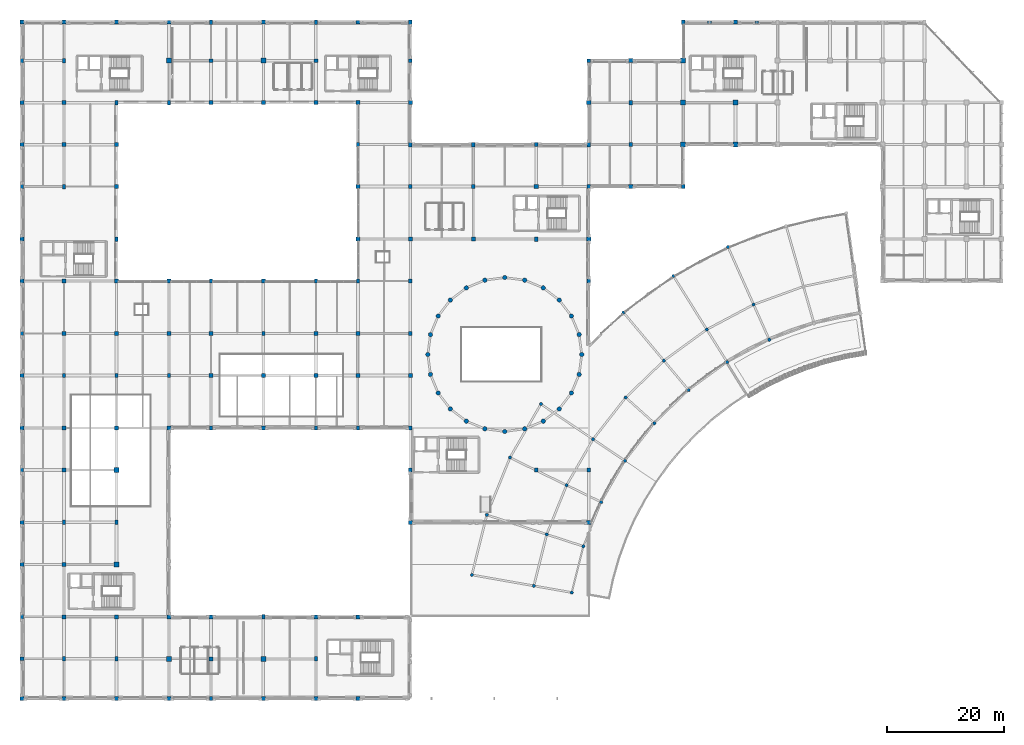
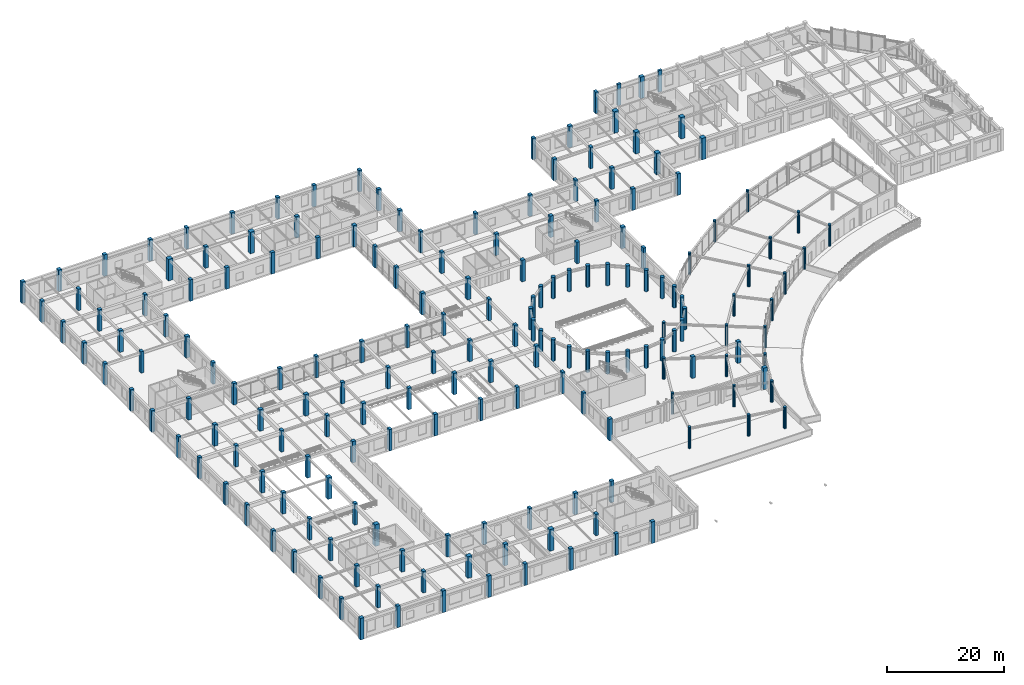
# One storey, part 1 of 62: 185 columns.
"""IFC4 building model written with IfcOpenShell, lengths in metres."""

from ifc_helpers import new_model, si_unit, direction, frame, origin, origin_2d, place, context, subcontext, project, spatial, rectangle, circle, extrude, material, material_profile, profile_set, type_object, element, save


model = new_model("IFC4")

# Units and contexts
model_context = context("Model", 3, precision=1e-05, world=origin(), true_north=direction((0.0, 1.0)))
body_context = subcontext(model_context, "Body", "Model", "MODEL_VIEW")
ifc_project = project(units=[si_unit("LENGTHUNIT", "METRE"), si_unit("AREAUNIT", "SQUARE_METRE"), si_unit("VOLUMEUNIT", "CUBIC_METRE"), si_unit("PLANEANGLEUNIT", "RADIAN"), si_unit("MASSUNIT", "GRAM", prefix="KILO")], contexts=[model_context])

# Site, building, storey
site_placement = place(None, origin())
site = spatial("IfcSite", under=ifc_project, at=site_placement, CompositionType="ELEMENT")
building_placement = place(site_placement, origin())
building = spatial("IfcBuilding", under=site, at=building_placement, Name="Clarverna Civic Hall", CompositionType="ELEMENT")
storey_placement = place(building_placement, frame((0.0, 0.0, 5.10009765625)))
storey = spatial("IfcBuildingStorey", under=building, at=storey_placement, Name="L01", CompositionType="ELEMENT", Elevation=5.10009765625)

# Columns
ifc_material_1 = material(Name="Concrete C35/45", Category="concrete")
ifc_material_profile_1 = material_profile(ifc_material_1, circle(Radius=0.27490234375, at=origin_2d()), Name="RC D550")
ifc_profile_set_1 = profile_set([ifc_material_profile_1], Name="Concrete C35/45")
column_type_1 = type_object("IfcColumnType", Name="C-CV2", PredefinedType="COLUMN", material=ifc_profile_set_1)
for number, where, z_axis, x_axis, name in (
    (1, (125.480712890625, 67.563232421875, 0.0), (0.0, 0.0, 1.0), (1.0, 0.0, 0.0), "C-CV2-003"),
    (2, (117.44921875, 63.292724609375, 0.0), (0.0, 0.0, 1.0), (1.0, 0.0, 0.0), "C-CV2-004"),
    (3, (110.090087890625, 57.946044921875, 0.0), (0.0, 0.0, 1.0), (1.0, 0.0, 0.0), "C-CV2-005"),
    (4, (103.547119140625, 51.627197265625, 0.0), (0.0, 0.0, 1.0), (1.0, 0.0, 0.0), "C-CV2-006"),
    (5, (97.94677734375, 44.45947265625, 0.0), (0.0, 0.0, 1.0), (1.0, 0.0, 0.0), "C-CV2-007"),
    (6, (93.398681640625, 36.581787109375, 0.0), (0.0, 0.0, 1.0), (1.0, 0.0, 0.0), "C-CV2-008"),
    (7, (89.9912109375, 28.14794921875, 0.0), (0.0, 0.0, 1.0), (1.0, 0.0, 0.0), "C-CV2-009"),
    (8, (87.79052734375, 19.322021484375, 0.0), (0.0, 0.0, 1.0), (1.0, 0.0, 0.0), "C-CV2-010"),
    (9, (121.087890625, 77.429443359375, 0.0), (0.0, 0.0, 1.0), (1.0, 0.0, 0.0), "C-CV2-013"),
    (10, (111.72607421875, 72.45166015625, 0.0), (0.0, 0.0, 1.0), (1.0, 0.0, 0.0), "C-CV2-014"),
    (11, (103.148193359375, 66.219482421875, 0.0), (0.0, 0.0, 1.0), (1.0, 0.0, 0.0), "C-CV2-015"),
    (12, (88.9931640625, 50.498779296875, 0.0), (0.0, 0.0, 1.0), (1.0, 0.0, 0.0), "C-CV2-016"),
    (13, (83.691650390625, 41.316162109375, 0.0), (0.0, 0.0, 1.0), (1.0, 0.0, 0.0), "C-CV2-017"),
    (14, (79.7197265625, 31.4853515625, 0.0), (0.0, 0.0, 1.0), (1.0, 0.0, 0.0), "C-CV2-018"),
    (15, (77.154541015625, 21.197265625, 0.0), (0.0, 0.0, 1.0), (1.0, 0.0, 0.0), "C-CV2-019"),
    (16, (128.165283203125, 61.53369140625, 0.0), (0.0, 0.0, 1.0), (1.0, 0.0, 0.0), "C-CV2-022"),
    (17, (120.94677734375, 57.695556640625, 0.0), (0.0, 0.0, 1.0), (1.0, 0.0, 0.0), "C-CV2-023"),
    (18, (114.33251953125, 52.89013671875, 0.0), (0.0, 0.0, 1.0), (1.0, 0.0, 0.0), "C-CV2-024"),
    (19, (108.45166015625, 47.211181640625, 0.0), (0.0, 0.0, 1.0), (1.0, 0.0, 0.0), "C-CV2-025"),
    (20, (103.41845703125, 40.768798828125, 0.0), (0.0, 0.0, 1.0), (1.0, 0.0, 0.0), "C-CV2-026"),
    (21, (99.330810546875, 33.6884765625, 0.0), (0.0, 0.0, 1.0), (1.0, 0.0, 0.0), "C-CV2-027"),
    (22, (96.26806640625, 26.1083984375, 0.0), (0.0, 0.0, 1.0), (1.0, 0.0, 0.0), "C-CV2-028"),
    (23, (94.290283203125, 18.17578125, 0.0), (0.0, 0.0, 1.0), (1.0, 0.0, 0.0), "C-CV2-029"),
):
    element("IfcColumn", number, at=place(storey_placement, frame(where, z_axis=z_axis, x_axis=x_axis)), inside=storey, type_object=column_type_1, Name=name, PredefinedType="COLUMN", context=body_context, shape_type="SweptSolid", body=[
        extrude(circle(Radius=0.27490234375, at=origin_2d()), origin(), (0.0, 0.0, 1.0), 4.5),
    ])
ifc_material_profile_2 = material_profile(ifc_material_1, circle(Radius=0.375, at=origin_2d()), Name="RC D750")
ifc_profile_set_2 = profile_set([ifc_material_profile_2], Name="Concrete C35/45")
column_type_2 = type_object("IfcColumnType", Name="C-DR2", PredefinedType="COLUMN", material=ifc_profile_set_2)
for number, where, z_axis, x_axis, name in (
    (24, (96.0, 59.0, 0.0), (0.0, 0.0, 1.0), (1.0, 0.0, 0.0), "C-DR2-001"),
    (25, (95.55029296875, 62.41650390625, 0.0), (0.0, 0.0, 1.0), (1.0, 0.0, 0.0), "C-DR2-003"),
    (26, (94.2314453125, 65.60009765625, 0.0), (0.0, 0.0, 1.0), (1.0, 0.0, 0.0), "C-DR2-005"),
    (27, (92.1337890625, 68.333740234375, 0.0), (0.0, 0.0, 1.0), (1.0, 0.0, 0.0), "C-DR2-007"),
    (28, (89.39990234375, 70.431396484375, 0.0), (0.0, 0.0, 1.0), (1.0, 0.0, 0.0), "C-DR2-009"),
    (29, (86.21630859375, 71.750244140625, 0.0), (0.0, 0.0, 1.0), (1.0, 0.0, 0.0), "C-DR2-011"),
    (30, (82.800048828125, 72.199951171875, 0.0), (0.0, 0.0, 1.0), (1.0, 0.0, 0.0), "C-DR2-013"),
    (31, (79.383544921875, 71.750244140625, 0.0), (0.0, 0.0, 1.0), (1.0, 0.0, 0.0), "C-DR2-015"),
    (32, (76.199951171875, 70.431396484375, 0.0), (0.0, 0.0, 1.0), (1.0, 0.0, 0.0), "C-DR2-017"),
    (33, (73.46630859375, 68.333740234375, 0.0), (0.0, 0.0, 1.0), (1.0, 0.0, 0.0), "C-DR2-019"),
    (34, (71.368408203125, 65.60009765625, 0.0), (0.0, 0.0, 1.0), (1.0, 0.0, 0.0), "C-DR2-021"),
    (35, (70.0498046875, 62.41650390625, 0.0), (0.0, 0.0, 1.0), (1.0, 0.0, 0.0), "C-DR2-023"),
    (36, (69.60009765625, 59.0, 0.0), (0.0, 0.0, 1.0), (1.0, 0.0, 0.0), "C-DR2-025"),
    (37, (70.0498046875, 55.58349609375, 0.0), (0.0, 0.0, 1.0), (1.0, 0.0, 0.0), "C-DR2-027"),
    (38, (71.368408203125, 52.39990234375, 0.0), (0.0, 0.0, 1.0), (1.0, 0.0, 0.0), "C-DR2-029"),
    (39, (73.46630859375, 49.666259765625, 0.0), (0.0, 0.0, 1.0), (1.0, 0.0, 0.0), "C-DR2-031"),
    (40, (76.199951171875, 47.568603515625, 0.0), (0.0, 0.0, 1.0), (1.0, 0.0, 0.0), "C-DR2-033"),
    (41, (79.383544921875, 46.249755859375, 0.0), (0.0, 0.0, 1.0), (1.0, 0.0, 0.0), "C-DR2-035"),
    (42, (82.800048828125, 45.800048828125, 0.0), (0.0, 0.0, 1.0), (1.0, 0.0, 0.0), "C-DR2-037"),
    (43, (86.21630859375, 46.249755859375, 0.0), (0.0, 0.0, 1.0), (1.0, 0.0, 0.0), "C-DR2-039"),
    (44, (89.39990234375, 47.568603515625, 0.0), (0.0, 0.0, 1.0), (1.0, 0.0, 0.0), "C-DR2-041"),
    (45, (92.1337890625, 49.666259765625, 0.0), (0.0, 0.0, 1.0), (1.0, 0.0, 0.0), "C-DR2-043"),
    (46, (94.2314453125, 52.39990234375, 0.0), (0.0, 0.0, 1.0), (1.0, 0.0, 0.0), "C-DR2-045"),
    (47, (95.55029296875, 55.58349609375, 0.0), (0.0, 0.0, 1.0), (1.0, 0.0, 0.0), "C-DR2-047"),
):
    element("IfcColumn", number, at=place(storey_placement, frame(where, z_axis=z_axis, x_axis=x_axis)), inside=storey, type_object=column_type_2, Name=name, PredefinedType="COLUMN", context=body_context, shape_type="SweptSolid", body=[
        extrude(circle(Radius=0.375, at=origin_2d()), origin(), (0.0, 0.0, 1.0), 4.5),
    ])
ifc_material_2 = material(Name="Precast concrete C40/50", Category="concrete")
ifc_material_profile_3 = material_profile(ifc_material_2, rectangle(XDim=0.64990234375, YDim=0.419921875, at=origin_2d()), Name="PILASTER 650x420")
ifc_profile_set_3 = profile_set([ifc_material_profile_3], Name="Precast concrete C40/50")
column_type_3 = type_object("IfcColumnType", Name="C-PL1", PredefinedType="PILASTER", material=ifc_profile_set_3)
for number, where, z_axis, x_axis, name in (
    (48, (117.89990234375, 116.0, 0.0), (0.0, 0.0, 1.0), (1.0, 0.0, 0.0), "C-PL1-003"),
    (49, (126.0, 116.0, 0.0), (0.0, 0.0, 1.0), (1.0, 0.0, 0.0), "C-PL1-010"),
):
    element("IfcColumn", number, at=place(storey_placement, frame(where, z_axis=z_axis, x_axis=x_axis)), inside=storey, type_object=column_type_3, Name=name, PredefinedType="PILASTER", context=body_context, shape_type="SweptSolid", body=[
        extrude(rectangle(XDim=0.64990234375, YDim=0.419921875, at=origin_2d()), origin(), (0.0, 0.0, 1.0), 4.5),
    ])
ifc_material_profile_4 = material_profile(ifc_material_1, rectangle(XDim=0.550048828125, YDim=0.75, at=origin_2d()), Name="RC 550x750")
ifc_profile_set_4 = profile_set([ifc_material_profile_4], Name="Concrete C35/45")
column_type_4 = type_object("IfcColumnType", Name="C-RC16", PredefinedType="COLUMN", material=ifc_profile_set_4)
for number, where, z_axis, x_axis, name in (
    (50, (0.0, 14.0, 0.0), (0.0, 0.0, 1.0), (1.0, 0.0, 0.0), "C-RC16-001"),
    (51, (0.0, 39.199951171875, 0.0), (0.0, 0.0, 1.0), (1.0, 0.0, 0.0), "C-RC16-002"),
    (52, (0.0, 62.60009765625, 0.0), (0.0, 0.0, 1.0), (1.0, 0.0, 0.0), "C-RC16-003"),
    (53, (0.0, 87.800048828125, 0.0), (0.0, 0.0, 1.0), (1.0, 0.0, 0.0), "C-RC16-004"),
    (54, (0.0, 109.39990234375, 0.0), (0.0, 0.0, 1.0), (1.0, 0.0, 0.0), "C-RC16-005"),
    (55, (7.199951171875, 6.800048828125, 0.0), (0.0, 0.0, 1.0), (1.0, 0.0, 0.0), "C-RC16-006"),
    (56, (7.199951171875, 30.199951171875, 0.0), (0.0, 0.0, 1.0), (1.0, 0.0, 0.0), "C-RC16-007"),
    (57, (7.199951171875, 55.39990234375, 0.0), (0.0, 0.0, 1.0), (1.0, 0.0, 0.0), "C-RC16-008"),
    (58, (7.199951171875, 87.800048828125, 0.0), (0.0, 0.0, 1.0), (1.0, 0.0, 0.0), "C-RC16-009"),
    (59, (7.199951171875, 109.39990234375, 0.0), (0.0, 0.0, 1.0), (1.0, 0.0, 0.0), "C-RC16-010"),
    (60, (16.199951171875, 6.800048828125, 0.0), (0.0, 0.0, 1.0), (1.0, 0.0, 0.0), "C-RC16-011"),
    (61, (16.199951171875, 30.199951171875, 0.0), (0.0, 0.0, 1.0), (1.0, 0.0, 0.0), "C-RC16-012"),
    (62, (16.199951171875, 55.39990234375, 0.0), (0.0, 0.0, 1.0), (1.0, 0.0, 0.0), "C-RC16-013"),
    (63, (16.199951171875, 78.800048828125, 0.0), (0.0, 0.0, 1.0), (1.0, 0.0, 0.0), "C-RC16-014"),
    (64, (16.199951171875, 102.199951171875, 0.0), (0.0, 0.0, 1.0), (1.0, 0.0, 0.0), "C-RC16-015"),
    (65, (25.199951171875, 55.39990234375, 0.0), (0.0, 0.0, 1.0), (1.0, 0.0, 0.0), "C-RC16-016"),
    (66, (25.199951171875, 102.199951171875, 0.0), (0.0, 0.0, 1.0), (1.0, 0.0, 0.0), "C-RC16-017"),
    (67, (32.39990234375, 0.0, 0.0), (0.0, 0.0, 1.0), (1.0, 0.0, 0.0), "C-RC16-018"),
    (68, (32.39990234375, 46.39990234375, 0.0), (0.0, 0.0, 1.0), (1.0, 0.0, 0.0), "C-RC16-019"),
    (69, (32.39990234375, 71.60009765625, 0.0), (0.0, 0.0, 1.0), (1.0, 0.0, 0.0), "C-RC16-020"),
    (70, (32.39990234375, 116.0, 0.0), (0.0, 0.0, 1.0), (1.0, 0.0, 0.0), "C-RC16-021"),
    (71, (41.39990234375, 14.0, 0.0), (0.0, 0.0, 1.0), (1.0, 0.0, 0.0), "C-RC16-022"),
    (72, (41.39990234375, 62.60009765625, 0.0), (0.0, 0.0, 1.0), (1.0, 0.0, 0.0), "C-RC16-023"),
    (73, (50.39990234375, 6.800048828125, 0.0), (0.0, 0.0, 1.0), (1.0, 0.0, 0.0), "C-RC16-024"),
    (74, (50.39990234375, 46.39990234375, 0.0), (0.0, 0.0, 1.0), (1.0, 0.0, 0.0), "C-RC16-025"),
    (75, (50.39990234375, 71.60009765625, 0.0), (0.0, 0.0, 1.0), (1.0, 0.0, 0.0), "C-RC16-026"),
    (76, (50.39990234375, 116.0, 0.0), (0.0, 0.0, 1.0), (1.0, 0.0, 0.0), "C-RC16-027"),
    (77, (57.60009765625, 46.39990234375, 0.0), (0.0, 0.0, 1.0), (1.0, 0.0, 0.0), "C-RC16-028"),
    (78, (57.60009765625, 71.60009765625, 0.0), (0.0, 0.0, 1.0), (1.0, 0.0, 0.0), "C-RC16-029"),
    (79, (57.60009765625, 95.0, 0.0), (0.0, 0.0, 1.0), (1.0, 0.0, 0.0), "C-RC16-030"),
    (80, (66.60009765625, 46.39990234375, 0.0), (0.0, 0.0, 1.0), (1.0, 0.0, 0.0), "C-RC16-031"),
    (81, (66.60009765625, 71.60009765625, 0.0), (0.0, 0.0, 1.0), (1.0, 0.0, 0.0), "C-RC16-032"),
    (82, (66.60009765625, 95.0, 0.0), (0.0, 0.0, 1.0), (1.0, 0.0, 0.0), "C-RC16-033"),
    (83, (66.60009765625, 116.0, 0.0), (0.0, 0.0, 1.0), (1.0, 0.0, 0.0), "C-RC16-034"),
    (84, (77.39990234375, 95.0, 0.0), (0.0, 0.0, 1.0), (1.0, 0.0, 0.0), "C-RC16-035"),
    (85, (88.199951171875, 78.800048828125, 0.0), (0.0, 0.0, 1.0), (1.0, 0.0, 0.0), "C-RC16-036"),
    (86, (97.199951171875, 71.60009765625, 0.0), (0.0, 0.0, 1.0), (1.0, 0.0, 0.0), "C-RC16-037"),
    (87, (97.199951171875, 95.0, 0.0), (0.0, 0.0, 1.0), (1.0, 0.0, 0.0), "C-RC16-038"),
    (88, (104.39990234375, 102.199951171875, 0.0), (0.0, 0.0, 1.0), (1.0, 0.0, 0.0), "C-RC16-039"),
    (89, (113.39990234375, 116.0, 0.0), (0.0, 0.0, 1.0), (1.0, 0.0, 0.0), "C-RC16-040"),
):
    element("IfcColumn", number, at=place(storey_placement, frame(where, z_axis=z_axis, x_axis=x_axis)), inside=storey, type_object=column_type_4, Name=name, PredefinedType="COLUMN", context=body_context, shape_type="SweptSolid", body=[
        extrude(rectangle(XDim=0.550048828125, YDim=0.75, at=origin_2d()), origin(), (0.0, 0.0, 1.0), 4.5),
    ])
ifc_material_3 = material(Name="Concrete C40/50", Category="concrete")
ifc_material_profile_5 = material_profile(ifc_material_3, rectangle(XDim=0.85009765625, YDim=0.85009765625, at=origin_2d()), Name="RC 850x850")
ifc_profile_set_5 = profile_set([ifc_material_profile_5], Name="Concrete C40/50")
column_type_5 = type_object("IfcColumnType", Name="C-RC3", PredefinedType="COLUMN", material=ifc_profile_set_5)
for number, where, z_axis, x_axis, name in (
    (90, (16.199951171875, 23.0, 0.0), (0.0, 0.0, 1.0), (1.0, 0.0, 0.0), "C-RC3-001"),
    (91, (16.199951171875, 39.199951171875, 0.0), (0.0, 0.0, 1.0), (1.0, 0.0, 0.0), "C-RC3-002"),
    (92, (25.199951171875, 6.800048828125, 0.0), (0.0, 0.0, 1.0), (1.0, 0.0, 0.0), "C-RC3-003"),
    (93, (25.199951171875, 109.39990234375, 0.0), (0.0, 0.0, 1.0), (1.0, 0.0, 0.0), "C-RC3-004"),
    (94, (41.39990234375, 6.800048828125, 0.0), (0.0, 0.0, 1.0), (1.0, 0.0, 0.0), "C-RC3-005"),
    (95, (41.39990234375, 109.39990234375, 0.0), (0.0, 0.0, 1.0), (1.0, 0.0, 0.0), "C-RC3-006"),
    (96, (113.39990234375, 95.0, 0.0), (0.0, 0.0, 1.0), (1.0, 0.0, 0.0), "C-RC3-007"),
    (97, (113.39990234375, 102.199951171875, 0.0), (0.0, 0.0, 1.0), (1.0, 0.0, 0.0), "C-RC3-008"),
    (98, (113.39990234375, 109.39990234375, 0.0), (0.0, 0.0, 1.0), (1.0, 0.0, 0.0), "C-RC3-009"),
    (99, (122.39990234375, 95.0, 0.0), (0.0, 0.0, 1.0), (1.0, 0.0, 0.0), "C-RC3-010"),
    (100, (122.39990234375, 102.199951171875, 0.0), (0.0, 0.0, 1.0), (1.0, 0.0, 0.0), "C-RC3-011"),
):
    element("IfcColumn", number, at=place(storey_placement, frame(where, z_axis=z_axis, x_axis=x_axis)), inside=storey, type_object=column_type_5, Name=name, PredefinedType="COLUMN", context=body_context, shape_type="SweptSolid", body=[
        extrude(rectangle(XDim=0.85009765625, YDim=0.85009765625, at=origin_2d()), origin(), (0.0, 0.0, 1.0), 4.5),
    ])
ifc_material_profile_6 = material_profile(ifc_material_1, rectangle(XDim=0.699951171875, YDim=0.699951171875, at=origin_2d()), Name="RC 700x700")
ifc_profile_set_6 = profile_set([ifc_material_profile_6], Name="Concrete C35/45")
column_type_6 = type_object("IfcColumnType", Name="C-RC8", PredefinedType="COLUMN", material=ifc_profile_set_6)
for number, where, z_axis, x_axis, name in (
    (101, (0.0, 0.0, 0.0), (0.0, 0.0, 1.0), (1.0, 0.0, 0.0), "C-RC8-001"),
    (102, (0.0, 23.0, 0.0), (0.0, 0.0, 1.0), (1.0, 0.0, 0.0), "C-RC8-002"),
    (103, (0.0, 46.39990234375, 0.0), (0.0, 0.0, 1.0), (1.0, 0.0, 0.0), "C-RC8-003"),
    (104, (0.0, 71.60009765625, 0.0), (0.0, 0.0, 1.0), (1.0, 0.0, 0.0), "C-RC8-004"),
    (105, (0.0, 95.0, 0.0), (0.0, 0.0, 1.0), (1.0, 0.0, 0.0), "C-RC8-005"),
    (106, (0.0, 116.0, 0.0), (0.0, 0.0, 1.0), (1.0, 0.0, 0.0), "C-RC8-006"),
    (107, (7.199951171875, 14.0, 0.0), (0.0, 0.0, 1.0), (1.0, 0.0, 0.0), "C-RC8-007"),
    (108, (7.199951171875, 39.199951171875, 0.0), (0.0, 0.0, 1.0), (1.0, 0.0, 0.0), "C-RC8-008"),
    (109, (7.199951171875, 62.60009765625, 0.0), (0.0, 0.0, 1.0), (1.0, 0.0, 0.0), "C-RC8-009"),
    (110, (7.199951171875, 95.0, 0.0), (0.0, 0.0, 1.0), (1.0, 0.0, 0.0), "C-RC8-010"),
    (111, (7.199951171875, 116.0, 0.0), (0.0, 0.0, 1.0), (1.0, 0.0, 0.0), "C-RC8-011"),
    (112, (16.199951171875, 14.0, 0.0), (0.0, 0.0, 1.0), (1.0, 0.0, 0.0), "C-RC8-012"),
    (113, (16.199951171875, 62.60009765625, 0.0), (0.0, 0.0, 1.0), (1.0, 0.0, 0.0), "C-RC8-013"),
    (114, (16.199951171875, 87.800048828125, 0.0), (0.0, 0.0, 1.0), (1.0, 0.0, 0.0), "C-RC8-014"),
    (115, (16.199951171875, 116.0, 0.0), (0.0, 0.0, 1.0), (1.0, 0.0, 0.0), "C-RC8-015"),
    (116, (25.199951171875, 14.0, 0.0), (0.0, 0.0, 1.0), (1.0, 0.0, 0.0), "C-RC8-016"),
    (117, (25.199951171875, 62.60009765625, 0.0), (0.0, 0.0, 1.0), (1.0, 0.0, 0.0), "C-RC8-017"),
    (118, (32.39990234375, 6.800048828125, 0.0), (0.0, 0.0, 1.0), (1.0, 0.0, 0.0), "C-RC8-019"),
    (119, (32.39990234375, 55.39990234375, 0.0), (0.0, 0.0, 1.0), (1.0, 0.0, 0.0), "C-RC8-020"),
    (120, (32.39990234375, 102.199951171875, 0.0), (0.0, 0.0, 1.0), (1.0, 0.0, 0.0), "C-RC8-021"),
    (121, (41.39990234375, 0.0, 0.0), (0.0, 0.0, 1.0), (1.0, 0.0, 0.0), "C-RC8-022"),
    (122, (41.39990234375, 46.39990234375, 0.0), (0.0, 0.0, 1.0), (1.0, 0.0, 0.0), "C-RC8-023"),
    (123, (41.39990234375, 71.60009765625, 0.0), (0.0, 0.0, 1.0), (1.0, 0.0, 0.0), "C-RC8-024"),
    (124, (41.39990234375, 116.0, 0.0), (0.0, 0.0, 1.0), (1.0, 0.0, 0.0), "C-RC8-026"),
    (125, (50.39990234375, 14.0, 0.0), (0.0, 0.0, 1.0), (1.0, 0.0, 0.0), "C-RC8-027"),
    (126, (50.39990234375, 55.39990234375, 0.0), (0.0, 0.0, 1.0), (1.0, 0.0, 0.0), "C-RC8-028"),
    (127, (50.39990234375, 102.199951171875, 0.0), (0.0, 0.0, 1.0), (1.0, 0.0, 0.0), "C-RC8-029"),
    (128, (57.60009765625, 0.0, 0.0), (0.0, 0.0, 1.0), (1.0, 0.0, 0.0), "C-RC8-030"),
    (129, (57.60009765625, 55.39990234375, 0.0), (0.0, 0.0, 1.0), (1.0, 0.0, 0.0), "C-RC8-031"),
    (130, (57.60009765625, 78.800048828125, 0.0), (0.0, 0.0, 1.0), (1.0, 0.0, 0.0), "C-RC8-032"),
    (131, (57.60009765625, 102.199951171875, 0.0), (0.0, 0.0, 1.0), (1.0, 0.0, 0.0), "C-RC8-033"),
    (132, (66.60009765625, 30.199951171875, 0.0), (0.0, 0.0, 1.0), (1.0, 0.0, 0.0), "C-RC8-034"),
    (133, (66.60009765625, 55.39990234375, 0.0), (0.0, 0.0, 1.0), (1.0, 0.0, 0.0), "C-RC8-035"),
    (134, (66.60009765625, 78.800048828125, 0.0), (0.0, 0.0, 1.0), (1.0, 0.0, 0.0), "C-RC8-036"),
    (135, (66.60009765625, 102.199951171875, 0.0), (0.0, 0.0, 1.0), (1.0, 0.0, 0.0), "C-RC8-037"),
    (136, (77.39990234375, 78.800048828125, 0.0), (0.0, 0.0, 1.0), (1.0, 0.0, 0.0), "C-RC8-038"),
    (137, (88.199951171875, 87.800048828125, 0.0), (0.0, 0.0, 1.0), (1.0, 0.0, 0.0), "C-RC8-039"),
    (138, (97.199951171875, 30.199951171875, 0.0), (0.0, 0.0, 1.0), (1.0, 0.0, 0.0), "C-RC8-040"),
    (139, (97.199951171875, 78.800048828125, 0.0), (0.0, 0.0, 1.0), (1.0, 0.0, 0.0), "C-RC8-041"),
    (140, (97.199951171875, 102.199951171875, 0.0), (0.0, 0.0, 1.0), (1.0, 0.0, 0.0), "C-RC8-042"),
    (141, (104.39990234375, 87.800048828125, 0.0), (0.0, 0.0, 1.0), (1.0, 0.0, 0.0), "C-RC8-043"),
    (142, (104.39990234375, 109.39990234375, 0.0), (0.0, 0.0, 1.0), (1.0, 0.0, 0.0), "C-RC8-044"),
    (143, (122.39990234375, 116.0, 0.0), (0.0, 0.0, 1.0), (1.0, 0.0, 0.0), "C-RC8-050"),
):
    element("IfcColumn", number, at=place(storey_placement, frame(where, z_axis=z_axis, x_axis=x_axis)), inside=storey, type_object=column_type_6, Name=name, PredefinedType="COLUMN", context=body_context, shape_type="SweptSolid", body=[
        extrude(rectangle(XDim=0.699951171875, YDim=0.699951171875, at=origin_2d()), origin(), (0.0, 0.0, 1.0), 4.5),
    ])
ifc_material_profile_7 = material_profile(ifc_material_1, rectangle(XDim=0.64990234375, YDim=0.64990234375, at=origin_2d()), Name="RC 650x650")
ifc_profile_set_7 = profile_set([ifc_material_profile_7], Name="Concrete C35/45")
column_type_7 = type_object("IfcColumnType", Name="C-RC9", PredefinedType="COLUMN", material=ifc_profile_set_7)
for number, where, z_axis, x_axis, name in (
    (144, (0.0, 6.800048828125, 0.0), (0.0, 0.0, 1.0), (1.0, 0.0, 0.0), "C-RC9-001"),
    (145, (0.0, 30.199951171875, 0.0), (0.0, 0.0, 1.0), (1.0, 0.0, 0.0), "C-RC9-002"),
    (146, (0.0, 55.39990234375, 0.0), (0.0, 0.0, 1.0), (1.0, 0.0, 0.0), "C-RC9-003"),
    (147, (0.0, 78.800048828125, 0.0), (0.0, 0.0, 1.0), (1.0, 0.0, 0.0), "C-RC9-004"),
    (148, (0.0, 102.199951171875, 0.0), (0.0, 0.0, 1.0), (1.0, 0.0, 0.0), "C-RC9-005"),
    (149, (7.199951171875, 0.0, 0.0), (0.0, 0.0, 1.0), (1.0, 0.0, 0.0), "C-RC9-006"),
    (150, (7.199951171875, 23.0, 0.0), (0.0, 0.0, 1.0), (1.0, 0.0, 0.0), "C-RC9-007"),
    (151, (7.199951171875, 46.39990234375, 0.0), (0.0, 0.0, 1.0), (1.0, 0.0, 0.0), "C-RC9-008"),
    (152, (7.199951171875, 71.60009765625, 0.0), (0.0, 0.0, 1.0), (1.0, 0.0, 0.0), "C-RC9-009"),
    (153, (7.199951171875, 102.199951171875, 0.0), (0.0, 0.0, 1.0), (1.0, 0.0, 0.0), "C-RC9-010"),
    (154, (16.199951171875, 0.0, 0.0), (0.0, 0.0, 1.0), (1.0, 0.0, 0.0), "C-RC9-011"),
    (155, (16.199951171875, 46.39990234375, 0.0), (0.0, 0.0, 1.0), (1.0, 0.0, 0.0), "C-RC9-012"),
    (156, (16.199951171875, 71.60009765625, 0.0), (0.0, 0.0, 1.0), (1.0, 0.0, 0.0), "C-RC9-013"),
    (157, (16.199951171875, 95.0, 0.0), (0.0, 0.0, 1.0), (1.0, 0.0, 0.0), "C-RC9-014"),
    (158, (25.199951171875, 0.0, 0.0), (0.0, 0.0, 1.0), (1.0, 0.0, 0.0), "C-RC9-015"),
    (159, (25.199951171875, 46.39990234375, 0.0), (0.0, 0.0, 1.0), (1.0, 0.0, 0.0), "C-RC9-016"),
    (160, (25.199951171875, 71.60009765625, 0.0), (0.0, 0.0, 1.0), (1.0, 0.0, 0.0), "C-RC9-017"),
    (161, (25.199951171875, 116.0, 0.0), (0.0, 0.0, 1.0), (1.0, 0.0, 0.0), "C-RC9-018"),
    (162, (32.39990234375, 14.0, 0.0), (0.0, 0.0, 1.0), (1.0, 0.0, 0.0), "C-RC9-019"),
    (163, (32.39990234375, 62.60009765625, 0.0), (0.0, 0.0, 1.0), (1.0, 0.0, 0.0), "C-RC9-020"),
    (164, (32.39990234375, 109.39990234375, 0.0), (0.0, 0.0, 1.0), (1.0, 0.0, 0.0), "C-RC9-021"),
    (165, (41.39990234375, 55.39990234375, 0.0), (0.0, 0.0, 1.0), (1.0, 0.0, 0.0), "C-RC9-022"),
    (166, (41.39990234375, 102.199951171875, 0.0), (0.0, 0.0, 1.0), (1.0, 0.0, 0.0), "C-RC9-023"),
    (167, (50.39990234375, 0.0, 0.0), (0.0, 0.0, 1.0), (1.0, 0.0, 0.0), "C-RC9-024"),
    (168, (50.39990234375, 62.60009765625, 0.0), (0.0, 0.0, 1.0), (1.0, 0.0, 0.0), "C-RC9-025"),
    (169, (50.39990234375, 109.39990234375, 0.0), (0.0, 0.0, 1.0), (1.0, 0.0, 0.0), "C-RC9-026"),
    (170, (57.60009765625, 14.0, 0.0), (0.0, 0.0, 1.0), (1.0, 0.0, 0.0), "C-RC9-027"),
    (171, (57.60009765625, 62.60009765625, 0.0), (0.0, 0.0, 1.0), (1.0, 0.0, 0.0), "C-RC9-028"),
    (172, (57.60009765625, 87.800048828125, 0.0), (0.0, 0.0, 1.0), (1.0, 0.0, 0.0), "C-RC9-029"),
    (173, (57.60009765625, 116.0, 0.0), (0.0, 0.0, 1.0), (1.0, 0.0, 0.0), "C-RC9-030"),
    (174, (66.60009765625, 39.199951171875, 0.0), (0.0, 0.0, 1.0), (1.0, 0.0, 0.0), "C-RC9-031"),
    (175, (66.60009765625, 62.60009765625, 0.0), (0.0, 0.0, 1.0), (1.0, 0.0, 0.0), "C-RC9-032"),
    (176, (66.60009765625, 87.800048828125, 0.0), (0.0, 0.0, 1.0), (1.0, 0.0, 0.0), "C-RC9-033"),
    (177, (66.60009765625, 109.39990234375, 0.0), (0.0, 0.0, 1.0), (1.0, 0.0, 0.0), "C-RC9-034"),
    (178, (77.39990234375, 87.800048828125, 0.0), (0.0, 0.0, 1.0), (1.0, 0.0, 0.0), "C-RC9-035"),
    (179, (88.199951171875, 39.199951171875, 0.0), (0.0, 0.0, 1.0), (1.0, 0.0, 0.0), "C-RC9-036"),
    (180, (88.199951171875, 95.0, 0.0), (0.0, 0.0, 1.0), (1.0, 0.0, 0.0), "C-RC9-037"),
    (181, (97.199951171875, 39.199951171875, 0.0), (0.0, 0.0, 1.0), (1.0, 0.0, 0.0), "C-RC9-038"),
    (182, (97.199951171875, 87.800048828125, 0.0), (0.0, 0.0, 1.0), (1.0, 0.0, 0.0), "C-RC9-039"),
    (183, (97.199951171875, 109.39990234375, 0.0), (0.0, 0.0, 1.0), (1.0, 0.0, 0.0), "C-RC9-040"),
    (184, (104.39990234375, 95.0, 0.0), (0.0, 0.0, 1.0), (1.0, 0.0, 0.0), "C-RC9-041"),
    (185, (113.39990234375, 87.800048828125, 0.0), (0.0, 0.0, 1.0), (1.0, 0.0, 0.0), "C-RC9-042"),
):
    element("IfcColumn", number, at=place(storey_placement, frame(where, z_axis=z_axis, x_axis=x_axis)), inside=storey, type_object=column_type_7, Name=name, PredefinedType="COLUMN", context=body_context, shape_type="SweptSolid", body=[
        extrude(rectangle(XDim=0.64990234375, YDim=0.64990234375, at=origin_2d()), origin(), (0.0, 0.0, 1.0), 4.5),
    ])

save(model, "model.ifc")
